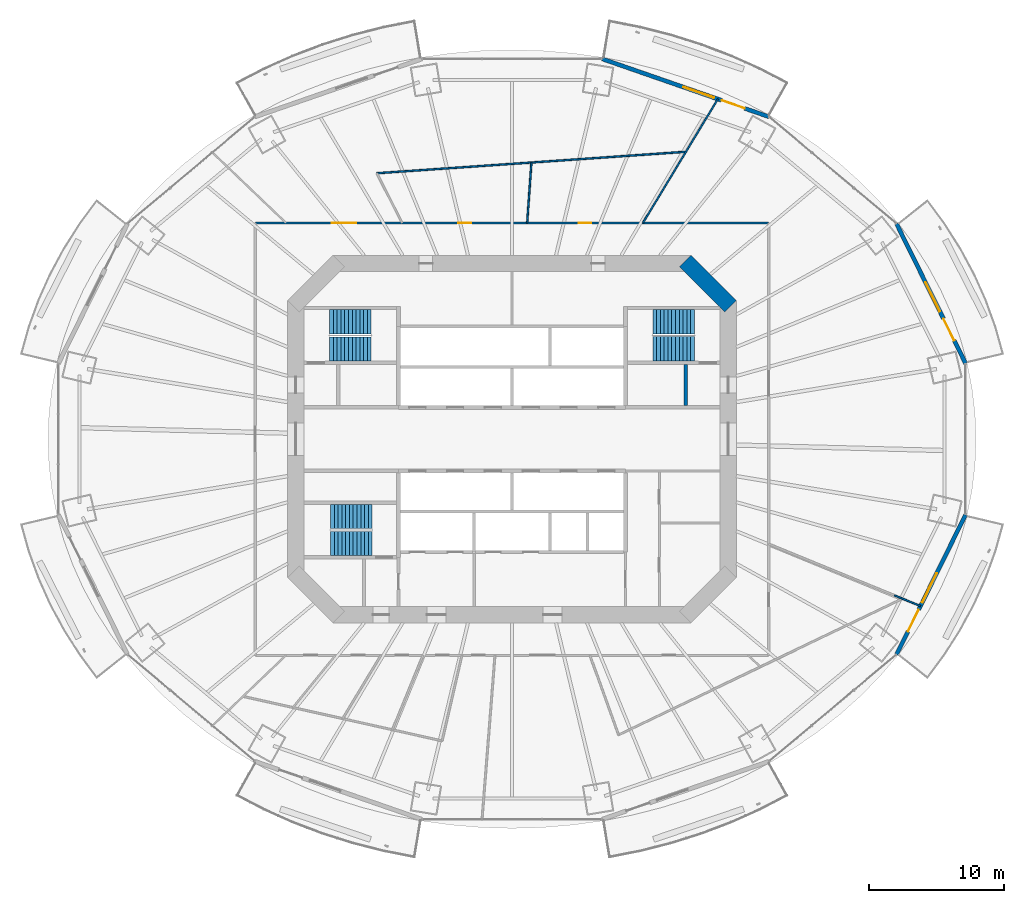
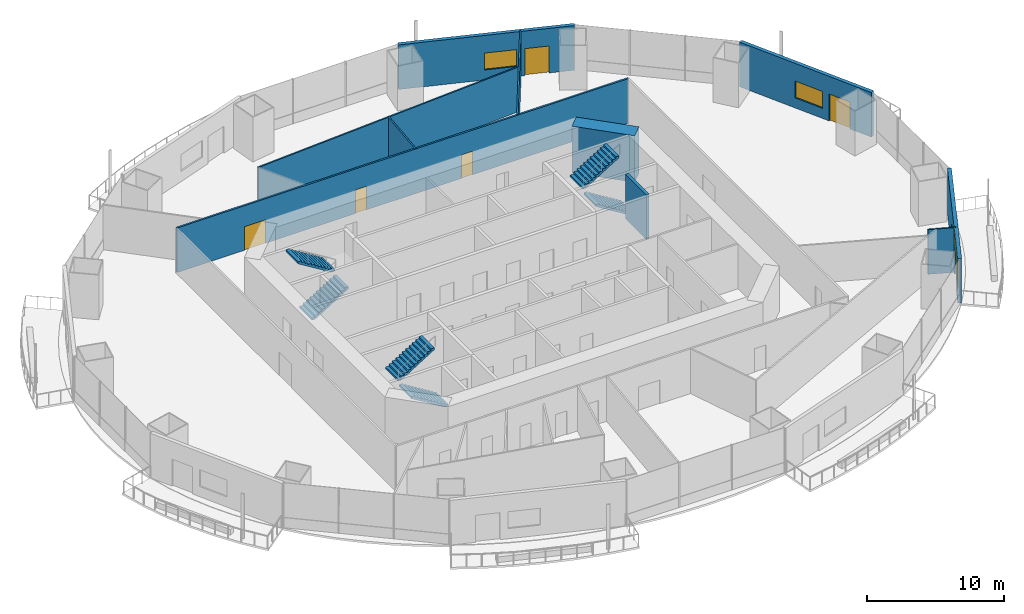
# One storey, part 16 of 22: 10 walls, 6 doors, 6 stair flights, 3 windows, 9 openings, 3 elements without a shape of their own.
"""IFC4 building model written with IfcOpenShell, lengths in metres."""

from ifc_helpers import new_model, si_unit, direction, frame, frame_2d, origin, place, context, subcontext, project, spatial, polyline, rectangle, outline, extrude, material, layer, layer_set, type_object, element, fill, aggregate, save


model = new_model("IFC4")

# Units and contexts
model_context = context("Model", 3, precision=1e-05, world=origin(), true_north=direction((0.0, 1.0)))
body_context = subcontext(model_context, "Body", "Model", "MODEL_VIEW")
ifc_project = project(units=[si_unit("LENGTHUNIT", "METRE"), si_unit("AREAUNIT", "SQUARE_METRE"), si_unit("VOLUMEUNIT", "CUBIC_METRE"), si_unit("PLANEANGLEUNIT", "RADIAN"), si_unit("MASSUNIT", "GRAM", prefix="KILO")], contexts=[model_context])

# Site, building, storey
site_placement = place(None, origin())
site = spatial("IfcSite", under=ifc_project, at=site_placement, CompositionType="ELEMENT")
building_placement = place(site_placement, origin())
building = spatial("IfcBuilding", under=site, at=building_placement, Name="Marenthal Gate Tower", CompositionType="ELEMENT")
storey_placement = place(building_placement, frame((0.0, 0.0, 116.0)))
storey = spatial("IfcBuildingStorey", under=building, at=storey_placement, Name="L24", CompositionType="ELEMENT", Elevation=116.0)

# Walls
ifc_material_1 = material(Name="Concrete 60 MPa", Category="concrete")
ifc_layer_1 = layer(ifc_material_1, 1.199951171875)
ifc_layer_set_1 = layer_set([ifc_layer_1], Name="Core shear wall 1200")
wall_type_1 = type_object("IfcWallType", Name="Core shear wall 1200", PredefinedType="SHEAR", material=ifc_layer_set_1)
wall_1_placement = place(storey_placement, frame((16.17578125, 9.82421875, -0.179931640625), z_axis=(0.0, 0.0, 1.0), x_axis=(-0.707106781187, 0.707106781187, 0.0)))
element("IfcWall", 1, at=wall_1_placement, inside=storey, type_object=wall_type_1, Name="Core wall 03", PredefinedType="SHEAR", context=body_context, shape_type="SweptSolid", body=[
    extrude(rectangle(XDim=4.73974609375, YDim=1.199951171875, at=frame_2d((2.369873046875, 0.0))), origin(), (0.0, 0.0, 1.0), 4.14990234375),
])
ifc_material_2 = material(Name="Gypsum board on steel studs", Category="steel")
ifc_layer_2 = layer(ifc_material_2, 0.1201171875)
ifc_layer_set_2 = layer_set([ifc_layer_2], Name="Partition 120")
wall_type_2 = type_object("IfcWallType", Name="Partition 120", PredefinedType="PARTITIONING", material=ifc_layer_set_2)
wall_2_placement = place(storey_placement, frame((1.436279296875, 20.469482421875, 0.0), z_axis=(0.0, 0.0, 1.0), x_axis=(-0.069965230182, -0.997549430638, 0.0)))
element("IfcWall", 2, at=wall_2_placement, inside=storey, type_object=wall_type_2, Name="Partition wall 58", PredefinedType="PARTITIONING", context=body_context, shape_type="SweptSolid", body=[
    extrude(rectangle(XDim=4.48046875, YDim=0.1201171875, at=frame_2d((2.240234375, 0.0))), origin(), (0.0, 0.0, 1.0), 3.969970703125),
])
wall_3_placement = place(storey_placement, frame((9.687255859375, 16.0, 0.0), z_axis=(0.0, 0.0, 1.0), x_axis=(0.517899667471, 0.855441368203, 0.0)))
element("IfcWall", 3, at=wall_3_placement, inside=storey, type_object=wall_type_2, Name="Partition wall 61", PredefinedType="PARTITIONING", context=body_context, shape_type="SweptSolid", body=[
    extrude(rectangle(XDim=10.714111328125, YDim=0.1201171875, at=frame_2d((5.35693359375, 0.0))), origin(), (0.0, 0.0, 1.0), 3.969970703125),
])
wall_4_placement = place(storey_placement, frame((12.8740234375, 21.263671875, 0.0), z_axis=(0.0, 0.0, 1.0), x_axis=(-0.99759796259, -0.069269798869, 0.0)))
element("IfcWall", 4, at=wall_4_placement, inside=storey, type_object=wall_type_2, Name="Partition wall 62", PredefinedType="PARTITIONING", context=body_context, shape_type="SweptSolid", body=[
    extrude(rectangle(XDim=22.930419921875, YDim=0.1201171875, at=frame_2d((11.46533203125, 0.0))), origin(), (0.0, 0.0, 1.0), 3.969970703125),
])
wall_5_placement = place(storey_placement, frame((28.2978515625, -11.562744140625, 0.0), z_axis=(0.0, 0.0, 1.0), x_axis=(0.925692219351, -0.37827756348, 0.0)))
element("IfcWall", 5, at=wall_5_placement, inside=storey, type_object=wall_type_2, Name="Partition wall 67", PredefinedType="PARTITIONING", context=body_context, shape_type="SweptSolid", body=[
    extrude(rectangle(XDim=2.087158203125, YDim=0.1201171875, at=frame_2d((1.04345703125, 0.0))), origin(), (0.0, 0.0, 1.0), 3.969970703125),
])

# Wall, openings, doors
ifc_material_3 = material(Name="Gypsum board on steel studs", Category="steel")
ifc_layer_3 = layer(ifc_material_3, 0.14990234375)
ifc_layer_set_3 = layer_set([ifc_layer_3], Name="Partition 150")
wall_type_3 = type_object("IfcWallType", Name="Partition 150", PredefinedType="PARTITIONING", material=ifc_layer_set_3)
wall_6_placement = place(storey_placement, frame((-19.0, 16.0, 0.0), z_axis=(0.0, 0.0, 1.0), x_axis=(1.0, 0.0, 0.0)))
wall_6 = element("IfcWall", 6, at=wall_6_placement, inside=storey, type_object=wall_type_3, Name="Partition wall 49", PredefinedType="PARTITIONING", context=body_context, shape_type="SweptSolid", body=[
    extrude(rectangle(XDim=38.0, YDim=0.14990234375, at=frame_2d((19.0, 0.0))), origin(), (0.0, 0.0, 1.0), 3.969970703125),
])
opening_1_placement = place(wall_6_placement, frame((23.929931640625, 0.0, 0.0)))
opening_1 = element("IfcOpeningElement", 7, at=opening_1_placement, cuts=wall_6, Name="Opening D016.01", PredefinedType="OPENING", context=body_context, shape_type="SweptSolid", body=[
    extrude(rectangle(XDim=0.949951171875, YDim=2.10009765625, at=frame_2d((0.47509765625, 1.050048828125))), frame((0.0, 0.0849609375, 0.0), z_axis=(0.0, -1.0, 0.0), x_axis=(1.0, 0.0, 0.0)), (0.0, 0.0, 1.0), 0.169921875),
])
opening_2_placement = place(wall_6_placement, frame((15.02001953125, 0.0, 0.0)))
opening_2 = element("IfcOpeningElement", 8, at=opening_2_placement, cuts=wall_6, Name="Opening D016.02", PredefinedType="OPENING", context=body_context, shape_type="SweptSolid", body=[
    extrude(rectangle(XDim=0.949951171875, YDim=2.10009765625, at=frame_2d((0.47509765625, 1.050048828125))), frame((0.0, 0.0849609375, 0.0), z_axis=(0.0, -1.0, 0.0), x_axis=(1.0, 0.0, 0.0)), (0.0, 0.0, 1.0), 0.169921875),
])
opening_3_placement = place(wall_6_placement, frame((5.6708984375, 0.0, 0.0)))
opening_3 = element("IfcOpeningElement", 9, at=opening_3_placement, cuts=wall_6, Name="Opening D014.01", PredefinedType="OPENING", context=body_context, shape_type="SweptSolid", body=[
    extrude(rectangle(XDim=1.800048828125, YDim=2.10009765625, at=frame_2d((0.89990234375, 1.050048828125))), frame((0.0, 0.0849609375, 0.0), z_axis=(0.0, -1.0, 0.0), x_axis=(1.0, 0.0, 0.0)), (0.0, 0.0, 1.0), 0.169921875),
])
ifc_material_4 = material(Name="Timber door", Category="wood")
door_type_1 = type_object("IfcDoorType", Name="Door 950 x 2100", OperationType="NOTDEFINED", PredefinedType="DOOR", material=ifc_material_4)
door_1_placement = place(opening_1_placement, origin())
door_1 = element("IfcDoor", 10, at=door_1_placement, inside=storey, type_object=door_type_1, Name="Door D016.01", OperationType="SINGLE_SWING_RIGHT", OverallHeight=2.10009765625, OverallWidth=0.949951171875, PredefinedType="DOOR", context=body_context, shape_type="SweptSolid", body=[
    extrude(rectangle(XDim=0.949951171875, YDim=2.10009765625, at=frame_2d((0.47509765625, 1.050048828125))), frame((0.0, 0.02490234375, 0.0), z_axis=(0.0, -1.0, 0.0), x_axis=(1.0, 0.0, 0.0)), (0.0, 0.0, 1.0), 0.050048828125),
])
fill(opening_1, door_1)
door_2_placement = place(opening_2_placement, origin())
door_2 = element("IfcDoor", 11, at=door_2_placement, inside=storey, type_object=door_type_1, Name="Door D016.02", OperationType="SINGLE_SWING_RIGHT", OverallHeight=2.10009765625, OverallWidth=0.949951171875, PredefinedType="DOOR", context=body_context, shape_type="SweptSolid", body=[
    extrude(rectangle(XDim=0.949951171875, YDim=2.10009765625, at=frame_2d((0.47509765625, 1.050048828125))), frame((0.0, 0.02490234375, 0.0), z_axis=(0.0, -1.0, 0.0), x_axis=(1.0, 0.0, 0.0)), (0.0, 0.0, 1.0), 0.050048828125),
])
fill(opening_2, door_2)
ifc_material_5 = material(Name="Timber door", Category="wood")
door_type_2 = type_object("IfcDoorType", Name="Double door 1800 x 2100", OperationType="DOUBLE_DOOR_SINGLE_SWING", PredefinedType="DOOR", material=ifc_material_5)
door_3_placement = place(opening_3_placement, origin())
door_3 = element("IfcDoor", 12, at=door_3_placement, inside=storey, type_object=door_type_2, Name="Door D014.01", OperationType="DOUBLE_DOOR_SINGLE_SWING", OverallHeight=2.10009765625, OverallWidth=1.800048828125, PredefinedType="DOOR", context=body_context, shape_type="SweptSolid", body=[
    extrude(rectangle(XDim=1.800048828125, YDim=2.10009765625, at=frame_2d((0.89990234375, 1.050048828125))), frame((0.0, 0.02490234375, 0.0), z_axis=(0.0, -1.0, 0.0), x_axis=(1.0, 0.0, 0.0)), (0.0, 0.0, 1.0), 0.050048828125),
])
fill(opening_3, door_3)

# Wall
ifc_material_6 = material(Name="Concrete 40 MPa", Category="concrete")
ifc_layer_4 = layer(ifc_material_6, 0.25)
ifc_layer_set_4 = layer_set([ifc_layer_4], Name="Stair enclosure wall 250")
wall_type_4 = type_object("IfcWallType", Name="Stair enclosure wall 250", PredefinedType="STANDARD", material=ifc_layer_set_4)
wall_7_placement = place(storey_placement, frame((12.85009765625, 2.47509765625, 0.0), z_axis=(0.0, 0.0, 1.0), x_axis=(0.0, 1.0, 0.0)))
element("IfcWall", 13, at=wall_7_placement, inside=storey, type_object=wall_type_4, Name="Stair wall 46", PredefinedType="STANDARD", context=body_context, shape_type="SweptSolid", body=[
    extrude(rectangle(XDim=3.0498046875, YDim=0.25, at=frame_2d((1.52490234375, 0.0))), origin(), (0.0, 0.0, 1.0), 3.969970703125),
])

# Wall, openings, door, window
ifc_material_7 = material(Name="Terracotta cladding on insulated concrete-block backing", Category="masonry")
ifc_layer_5 = layer(ifc_material_7, 0.300048828125)
ifc_layer_set_5 = layer_set([ifc_layer_5], Name="Terracotta facade wall 300")
wall_type_5 = type_object("IfcWallType", Name="Terracotta facade wall 300", PredefinedType="SOLIDWALL", material=ifc_layer_set_5)
wall_8_placement = place(storey_placement, frame((33.568359375, 5.5966796875, 0.0), z_axis=(0.0, 0.0, 1.0), x_axis=(-0.443018089739, 0.896512672618, 0.0)))
wall_8 = element("IfcWall", 14, at=wall_8_placement, inside=storey, type_object=wall_type_5, Name="Terracotta facade wall L24 bay 1", PredefinedType="SOLIDWALL", context=body_context, shape_type="SweptSolid", body=[
    extrude(rectangle(XDim=11.535400390625, YDim=0.300048828125, at=frame_2d((5.767578125, 0.0))), origin(), (0.0, 0.0, 1.0), 3.969970703125),
])
opening_4_placement = place(wall_8_placement, frame((1.89990234375, 0.0, 0.0)))
opening_4 = element("IfcOpeningElement", 15, at=opening_4_placement, cuts=wall_8, Name="Opening BD-L24-01", PredefinedType="OPENING", context=body_context, shape_type="SweptSolid", body=[
    extrude(rectangle(XDim=1.800048828125, YDim=2.39990234375, at=frame_2d((0.89990234375, 1.199951171875))), frame((0.0, 0.16015625, 0.0), z_axis=(0.0, -1.0, 0.0), x_axis=(1.0, 0.0, 0.0)), (0.0, 0.0, 1.0), 0.320068359375),
])
opening_5_placement = place(wall_8_placement, frame((4.300048828125, 0.0, 0.89990234375)))
opening_5 = element("IfcOpeningElement", 16, at=opening_5_placement, cuts=wall_8, Name="Opening WN1-L24-01", PredefinedType="OPENING", context=body_context, shape_type="SweptSolid", body=[
    extrude(rectangle(XDim=2.39990234375, YDim=1.5, at=frame_2d((1.199951171875, 0.75))), frame((0.0, 0.16015625, 0.0), z_axis=(0.0, -1.0, 0.0), x_axis=(1.0, 0.0, 0.0)), (0.0, 0.0, 1.0), 0.320068359375),
])
ifc_material_8 = material(Name="Aluminium and glass", Category="aluminium")
door_type_3 = type_object("IfcDoorType", Name="Balcony door 1800x2400", OperationType="DOUBLE_DOOR_SINGLE_SWING", PredefinedType="DOOR", material=ifc_material_8)
door_4_placement = place(opening_4_placement, origin())
door_4 = element("IfcDoor", 17, at=door_4_placement, inside=storey, type_object=door_type_3, Name="Balcony door L24 bay 1", OperationType="SINGLE_SWING_LEFT", OverallHeight=2.39990234375, OverallWidth=1.800048828125, PredefinedType="DOOR", context=body_context, shape_type="SweptSolid", body=[
    extrude(rectangle(XDim=1.800048828125, YDim=2.39990234375, at=frame_2d((0.89990234375, 1.199951171875))), frame((0.0, 0.02490234375, 0.0), z_axis=(0.0, -1.0, 0.0), x_axis=(1.0, 0.0, 0.0)), (0.0, 0.0, 1.0), 0.050048828125),
])
fill(opening_4, door_4)
ifc_material_9 = material(Name="Aluminium and glass", Category="aluminium")
window_type = type_object("IfcWindowType", Name="Window 2400x1500", PartitioningType="TRIPLE_PANEL_VERTICAL", PredefinedType="WINDOW", material=ifc_material_9)
window_1_placement = place(opening_5_placement, origin())
window_1 = element("IfcWindow", 18, at=window_1_placement, inside=storey, type_object=window_type, Name="Window L24 bay 1", OverallHeight=1.5, OverallWidth=2.39990234375, PartitioningType="SINGLE_PANEL", PredefinedType="WINDOW", context=body_context, shape_type="SweptSolid", body=[
    extrude(rectangle(XDim=2.39990234375, YDim=1.5, at=frame_2d((1.199951171875, 0.75))), frame((0.0, 0.030029296875, 0.0), z_axis=(0.0, -1.0, 0.0), x_axis=(1.0, 0.0, 0.0)), (0.0, 0.0, 1.0), 0.06005859375),
])
fill(opening_5, window_1)

wall_9_placement = place(storey_placement, frame((19.014892578125, 23.853271484375, 0.0), z_axis=(0.0, 0.0, 1.0), x_axis=(-0.944684524645, 0.327980409318, 0.0)))
wall_9 = element("IfcWall", 19, at=wall_9_placement, inside=storey, type_object=wall_type_5, Name="Terracotta facade wall L24 bay 3", PredefinedType="SOLIDWALL", context=body_context, shape_type="SweptSolid", body=[
    extrude(rectangle(XDim=13.06005859375, YDim=0.300048828125, at=frame_2d((6.530029296875, 0.0))), origin(), (0.0, 0.0, 1.0), 3.969970703125),
])
opening_6_placement = place(wall_9_placement, frame((1.89990234375, 0.0, 0.0)))
opening_6 = element("IfcOpeningElement", 20, at=opening_6_placement, cuts=wall_9, Name="Opening BD-L24-03", PredefinedType="OPENING", context=body_context, shape_type="SweptSolid", body=[
    extrude(rectangle(XDim=1.800048828125, YDim=2.39990234375, at=frame_2d((0.89990234375, 1.199951171875))), frame((0.0, 0.16015625, 0.0), z_axis=(0.0, -1.0, 0.0), x_axis=(1.0, 0.0, 0.0)), (0.0, 0.0, 1.0), 0.320068359375),
])
opening_7_placement = place(wall_9_placement, frame((4.300048828125, 0.0, 0.89990234375)))
opening_7 = element("IfcOpeningElement", 21, at=opening_7_placement, cuts=wall_9, Name="Opening WN1-L24-03", PredefinedType="OPENING", context=body_context, shape_type="SweptSolid", body=[
    extrude(rectangle(XDim=2.39990234375, YDim=1.5, at=frame_2d((1.199951171875, 0.75))), frame((0.0, 0.16015625, 0.0), z_axis=(0.0, -1.0, 0.0), x_axis=(1.0, 0.0, 0.0)), (0.0, 0.0, 1.0), 0.320068359375),
])
door_5_placement = place(opening_6_placement, origin())
door_5 = element("IfcDoor", 22, at=door_5_placement, inside=storey, type_object=door_type_3, Name="Balcony door L24 bay 3", OperationType="SINGLE_SWING_LEFT", OverallHeight=2.39990234375, OverallWidth=1.800048828125, PredefinedType="DOOR", context=body_context, shape_type="SweptSolid", body=[
    extrude(rectangle(XDim=1.800048828125, YDim=2.39990234375, at=frame_2d((0.89990234375, 1.199951171875))), frame((0.0, 0.02490234375, 0.0), z_axis=(0.0, -1.0, 0.0), x_axis=(1.0, 0.0, 0.0)), (0.0, 0.0, 1.0), 0.050048828125),
])
fill(opening_6, door_5)
window_2_placement = place(opening_7_placement, origin())
window_2 = element("IfcWindow", 23, at=window_2_placement, inside=storey, type_object=window_type, Name="Window L24 bay 3", OverallHeight=1.5, OverallWidth=2.39990234375, PartitioningType="SINGLE_PANEL", PredefinedType="WINDOW", context=body_context, shape_type="SweptSolid", body=[
    extrude(rectangle(XDim=2.39990234375, YDim=1.5, at=frame_2d((1.199951171875, 0.75))), frame((0.0, 0.030029296875, 0.0), z_axis=(0.0, -1.0, 0.0), x_axis=(1.0, 0.0, 0.0)), (0.0, 0.0, 1.0), 0.06005859375),
])
fill(opening_7, window_2)

wall_10_placement = place(storey_placement, frame((28.4580078125, -15.938232421875, 0.0), z_axis=(0.0, 0.0, 1.0), x_axis=(0.443026495864, 0.896508518622, 0.0)))
wall_10 = element("IfcWall", 24, at=wall_10_placement, inside=storey, type_object=wall_type_5, Name="Terracotta facade wall L24 bay 15", PredefinedType="SOLIDWALL", context=body_context, shape_type="SweptSolid", body=[
    extrude(rectangle(XDim=11.53515625, YDim=0.300048828125, at=frame_2d((5.767578125, 0.0))), origin(), (0.0, 0.0, 1.0), 3.969970703125),
])
opening_8_placement = place(wall_10_placement, frame((1.89990234375, 0.0, 0.0)))
opening_8 = element("IfcOpeningElement", 25, at=opening_8_placement, cuts=wall_10, Name="Opening BD-L24-15", PredefinedType="OPENING", context=body_context, shape_type="SweptSolid", body=[
    extrude(rectangle(XDim=1.800048828125, YDim=2.39990234375, at=frame_2d((0.89990234375, 1.199951171875))), frame((0.0, 0.16015625, 0.0), z_axis=(0.0, -1.0, 0.0), x_axis=(1.0, 0.0, 0.0)), (0.0, 0.0, 1.0), 0.320068359375),
])
opening_9_placement = place(wall_10_placement, frame((4.300048828125, 0.0, 0.89990234375)))
opening_9 = element("IfcOpeningElement", 26, at=opening_9_placement, cuts=wall_10, Name="Opening WN1-L24-15", PredefinedType="OPENING", context=body_context, shape_type="SweptSolid", body=[
    extrude(rectangle(XDim=2.39990234375, YDim=1.5, at=frame_2d((1.199951171875, 0.75))), frame((0.0, 0.16015625, 0.0), z_axis=(0.0, -1.0, 0.0), x_axis=(1.0, 0.0, 0.0)), (0.0, 0.0, 1.0), 0.320068359375),
])
door_6_placement = place(opening_8_placement, origin())
door_6 = element("IfcDoor", 27, at=door_6_placement, inside=storey, type_object=door_type_3, Name="Balcony door L24 bay 15", OperationType="SINGLE_SWING_LEFT", OverallHeight=2.39990234375, OverallWidth=1.800048828125, PredefinedType="DOOR", context=body_context, shape_type="SweptSolid", body=[
    extrude(rectangle(XDim=1.800048828125, YDim=2.39990234375, at=frame_2d((0.89990234375, 1.199951171875))), frame((0.0, 0.02490234375, 0.0), z_axis=(0.0, -1.0, 0.0), x_axis=(1.0, 0.0, 0.0)), (0.0, 0.0, 1.0), 0.050048828125),
])
fill(opening_8, door_6)
window_3_placement = place(opening_9_placement, origin())
window_3 = element("IfcWindow", 28, at=window_3_placement, inside=storey, type_object=window_type, Name="Window L24 bay 15", OverallHeight=1.5, OverallWidth=2.39990234375, PartitioningType="SINGLE_PANEL", PredefinedType="WINDOW", context=body_context, shape_type="SweptSolid", body=[
    extrude(rectangle(XDim=2.39990234375, YDim=1.5, at=frame_2d((1.199951171875, 0.75))), frame((0.0, 0.030029296875, 0.0), z_axis=(0.0, -1.0, 0.0), x_axis=(1.0, 0.0, 0.0)), (0.0, 0.0, 1.0), 0.06005859375),
])
fill(opening_9, window_3)

# Stair, stair flights
ifc_material_10 = material(Name="Concrete 40 MPa", Category="concrete")
stair_type = type_object("IfcStairType", Name="Exit stair 1800", PredefinedType="HALF_TURN_STAIR", material=ifc_material_10)
stair_1_placement = place(storey_placement, origin())
stair_1 = element("IfcStair", 29, at=stair_1_placement, inside=storey, type_object=stair_type, Name="Stair ST1", PredefinedType="HALF_TURN_STAIR")
ifc_material_11 = material(Name="Concrete 40 MPa", Category="concrete")
stair_flight_type = type_object("IfcStairFlightType", Name="Stair flight 1800", PredefinedType="STRAIGHT", material=ifc_material_11)
stair_flight_1_placement = place(storey_placement, frame((-13.5, 6.675048828125, 0.0), z_axis=(0.0, 0.0, 1.0), x_axis=(1.0, 0.0, 0.0)))
stair_flight_1 = element("IfcStairFlight", 30, at=stair_flight_1_placement, type_object=stair_flight_type, Name="ST1 flight 1", NumberOfRisers=12, NumberOfTreads=11, PredefinedType="STRAIGHT", RiserHeight=0.172916667, TreadLength=0.28, context=body_context, shape_type="SweptSolid", body=[
    extrude(outline(polyline([(0.0, 0.0), (0.0, 0.1728515625), (0.280029296875, 0.1728515625), (0.280029296875, 0.345947265625), (0.56005859375, 0.345947265625), (0.56005859375, 0.518798828125), (0.840087890625, 0.518798828125), (0.840087890625, 0.691650390625), (1.1201171875, 0.691650390625), (1.1201171875, 0.864501953125), (1.39990234375, 0.864501953125), (1.39990234375, 1.03759765625), (1.679931640625, 1.03759765625), (1.679931640625, 1.21044921875), (1.9599609375, 1.21044921875), (1.9599609375, 1.38330078125), (2.239990234375, 1.38330078125), (2.239990234375, 1.55615234375), (2.52001953125, 1.55615234375), (2.52001953125, 1.729248046875), (2.800048828125, 1.729248046875), (2.800048828125, 1.902099609375), (3.080078125, 1.902099609375), (3.080078125, 2.074951171875), (3.080078125, 1.725830078125), (0.285400390625, 0.0), (0.0, 0.0)])), frame((0.0, 0.89990234375, 0.0), z_axis=(0.0, -1.0, 0.0), x_axis=(1.0, 0.0, 0.0)), (0.0, 0.0, 1.0), 1.800048828125),
])
stair_flight_2_placement = place(storey_placement, frame((-10.419921875, 8.675048828125, 2.074951171875), z_axis=(0.0, 0.0, 1.0), x_axis=(-1.0, 0.0, 0.0)))
stair_flight_2 = element("IfcStairFlight", 31, at=stair_flight_2_placement, type_object=stair_flight_type, Name="ST1 flight 2", NumberOfRisers=12, NumberOfTreads=11, PredefinedType="STRAIGHT", RiserHeight=0.172916667, TreadLength=0.28, context=body_context, shape_type="SweptSolid", body=[
    extrude(outline(polyline([(0.0, 0.0), (0.0, 0.1728515625), (0.280029296875, 0.1728515625), (0.280029296875, 0.345947265625), (0.56005859375, 0.345947265625), (0.56005859375, 0.518798828125), (0.840087890625, 0.518798828125), (0.840087890625, 0.691650390625), (1.1201171875, 0.691650390625), (1.1201171875, 0.864501953125), (1.39990234375, 0.864501953125), (1.39990234375, 1.03759765625), (1.679931640625, 1.03759765625), (1.679931640625, 1.21044921875), (1.9599609375, 1.21044921875), (1.9599609375, 1.38330078125), (2.239990234375, 1.38330078125), (2.239990234375, 1.55615234375), (2.52001953125, 1.55615234375), (2.52001953125, 1.729248046875), (2.800048828125, 1.729248046875), (2.800048828125, 1.902099609375), (3.080078125, 1.902099609375), (3.080078125, 2.074951171875), (3.080078125, 1.725830078125), (0.285400390625, 0.0), (0.0, 0.0)])), frame((0.0, 0.89990234375, 0.0), z_axis=(0.0, -1.0, 0.0), x_axis=(1.0, 0.0, 0.0)), (0.0, 0.0, 1.0), 1.800048828125),
])
aggregate(stair_1, [stair_flight_1, stair_flight_2])

stair_2_placement = place(storey_placement, origin())
stair_2 = element("IfcStair", 32, at=stair_2_placement, inside=storey, type_object=stair_type, Name="Stair ST2", PredefinedType="HALF_TURN_STAIR")
stair_flight_3_placement = place(storey_placement, frame((-10.35009765625, -7.72509765625, 0.0), z_axis=(0.0, 0.0, 1.0), x_axis=(-1.0, 0.0, 0.0)))
stair_flight_3 = element("IfcStairFlight", 33, at=stair_flight_3_placement, type_object=stair_flight_type, Name="ST2 flight 1", NumberOfRisers=12, NumberOfTreads=11, PredefinedType="STRAIGHT", RiserHeight=0.172916667, TreadLength=0.28, context=body_context, shape_type="SweptSolid", body=[
    extrude(outline(polyline([(0.0, 0.0), (0.0, 0.1728515625), (0.280029296875, 0.1728515625), (0.280029296875, 0.345947265625), (0.56005859375, 0.345947265625), (0.56005859375, 0.518798828125), (0.840087890625, 0.518798828125), (0.840087890625, 0.691650390625), (1.1201171875, 0.691650390625), (1.1201171875, 0.864501953125), (1.39990234375, 0.864501953125), (1.39990234375, 1.03759765625), (1.679931640625, 1.03759765625), (1.679931640625, 1.21044921875), (1.9599609375, 1.21044921875), (1.9599609375, 1.38330078125), (2.239990234375, 1.38330078125), (2.239990234375, 1.55615234375), (2.52001953125, 1.55615234375), (2.52001953125, 1.729248046875), (2.800048828125, 1.729248046875), (2.800048828125, 1.902099609375), (3.080078125, 1.902099609375), (3.080078125, 2.074951171875), (3.080078125, 1.725830078125), (0.285400390625, 0.0), (0.0, 0.0)])), frame((0.0, 0.89990234375, 0.0), z_axis=(0.0, -1.0, 0.0), x_axis=(1.0, 0.0, 0.0)), (0.0, 0.0, 1.0), 1.800048828125),
])
stair_flight_4_placement = place(storey_placement, frame((-13.429931640625, -5.72509765625, 2.074951171875), z_axis=(0.0, 0.0, 1.0), x_axis=(1.0, 0.0, 0.0)))
stair_flight_4 = element("IfcStairFlight", 34, at=stair_flight_4_placement, type_object=stair_flight_type, Name="ST2 flight 2", NumberOfRisers=12, NumberOfTreads=11, PredefinedType="STRAIGHT", RiserHeight=0.172916667, TreadLength=0.28, context=body_context, shape_type="SweptSolid", body=[
    extrude(outline(polyline([(0.0, 0.0), (0.0, 0.1728515625), (0.280029296875, 0.1728515625), (0.280029296875, 0.345947265625), (0.56005859375, 0.345947265625), (0.56005859375, 0.518798828125), (0.840087890625, 0.518798828125), (0.840087890625, 0.691650390625), (1.1201171875, 0.691650390625), (1.1201171875, 0.864501953125), (1.39990234375, 0.864501953125), (1.39990234375, 1.03759765625), (1.679931640625, 1.03759765625), (1.679931640625, 1.21044921875), (1.9599609375, 1.21044921875), (1.9599609375, 1.38330078125), (2.239990234375, 1.38330078125), (2.239990234375, 1.55615234375), (2.52001953125, 1.55615234375), (2.52001953125, 1.729248046875), (2.800048828125, 1.729248046875), (2.800048828125, 1.902099609375), (3.080078125, 1.902099609375), (3.080078125, 2.074951171875), (3.080078125, 1.725830078125), (0.285400390625, 0.0), (0.0, 0.0)])), frame((0.0, 0.89990234375, 0.0), z_axis=(0.0, -1.0, 0.0), x_axis=(1.0, 0.0, 0.0)), (0.0, 0.0, 1.0), 1.800048828125),
])
aggregate(stair_2, [stair_flight_3, stair_flight_4])

stair_3_placement = place(storey_placement, origin())
stair_3 = element("IfcStair", 35, at=stair_3_placement, inside=storey, type_object=stair_type, Name="Stair ST3", PredefinedType="HALF_TURN_STAIR")
stair_flight_5_placement = place(storey_placement, frame((13.5, 6.675048828125, 0.0), z_axis=(0.0, 0.0, 1.0), x_axis=(-1.0, 0.0, 0.0)))
stair_flight_5 = element("IfcStairFlight", 36, at=stair_flight_5_placement, type_object=stair_flight_type, Name="ST3 flight 1", NumberOfRisers=12, NumberOfTreads=11, PredefinedType="STRAIGHT", RiserHeight=0.172916667, TreadLength=0.28, context=body_context, shape_type="SweptSolid", body=[
    extrude(outline(polyline([(0.0, 0.0), (0.0, 0.1728515625), (0.280029296875, 0.1728515625), (0.280029296875, 0.345947265625), (0.56005859375, 0.345947265625), (0.56005859375, 0.518798828125), (0.840087890625, 0.518798828125), (0.840087890625, 0.691650390625), (1.1201171875, 0.691650390625), (1.1201171875, 0.864501953125), (1.39990234375, 0.864501953125), (1.39990234375, 1.03759765625), (1.679931640625, 1.03759765625), (1.679931640625, 1.21044921875), (1.9599609375, 1.21044921875), (1.9599609375, 1.38330078125), (2.239990234375, 1.38330078125), (2.239990234375, 1.55615234375), (2.52001953125, 1.55615234375), (2.52001953125, 1.729248046875), (2.800048828125, 1.729248046875), (2.800048828125, 1.902099609375), (3.080078125, 1.902099609375), (3.080078125, 2.074951171875), (3.080078125, 1.725830078125), (0.285400390625, 0.0), (0.0, 0.0)])), frame((0.0, 0.89990234375, 0.0), z_axis=(0.0, -1.0, 0.0), x_axis=(1.0, 0.0, 0.0)), (0.0, 0.0, 1.0), 1.800048828125),
])
stair_flight_6_placement = place(storey_placement, frame((10.419921875, 8.675048828125, 2.074951171875), z_axis=(0.0, 0.0, 1.0), x_axis=(1.0, 0.0, 0.0)))
stair_flight_6 = element("IfcStairFlight", 37, at=stair_flight_6_placement, type_object=stair_flight_type, Name="ST3 flight 2", NumberOfRisers=12, NumberOfTreads=11, PredefinedType="STRAIGHT", RiserHeight=0.172916667, TreadLength=0.28, context=body_context, shape_type="SweptSolid", body=[
    extrude(outline(polyline([(0.0, 0.0), (0.0, 0.1728515625), (0.280029296875, 0.1728515625), (0.280029296875, 0.345947265625), (0.56005859375, 0.345947265625), (0.56005859375, 0.518798828125), (0.840087890625, 0.518798828125), (0.840087890625, 0.691650390625), (1.1201171875, 0.691650390625), (1.1201171875, 0.864501953125), (1.39990234375, 0.864501953125), (1.39990234375, 1.03759765625), (1.679931640625, 1.03759765625), (1.679931640625, 1.21044921875), (1.9599609375, 1.21044921875), (1.9599609375, 1.38330078125), (2.239990234375, 1.38330078125), (2.239990234375, 1.55615234375), (2.52001953125, 1.55615234375), (2.52001953125, 1.729248046875), (2.800048828125, 1.729248046875), (2.800048828125, 1.902099609375), (3.080078125, 1.902099609375), (3.080078125, 2.074951171875), (3.080078125, 1.725830078125), (0.285400390625, 0.0), (0.0, 0.0)])), frame((0.0, 0.89990234375, 0.0), z_axis=(0.0, -1.0, 0.0), x_axis=(1.0, 0.0, 0.0)), (0.0, 0.0, 1.0), 1.800048828125),
])
aggregate(stair_3, [stair_flight_5, stair_flight_6])

save(model, "model.ifc")
